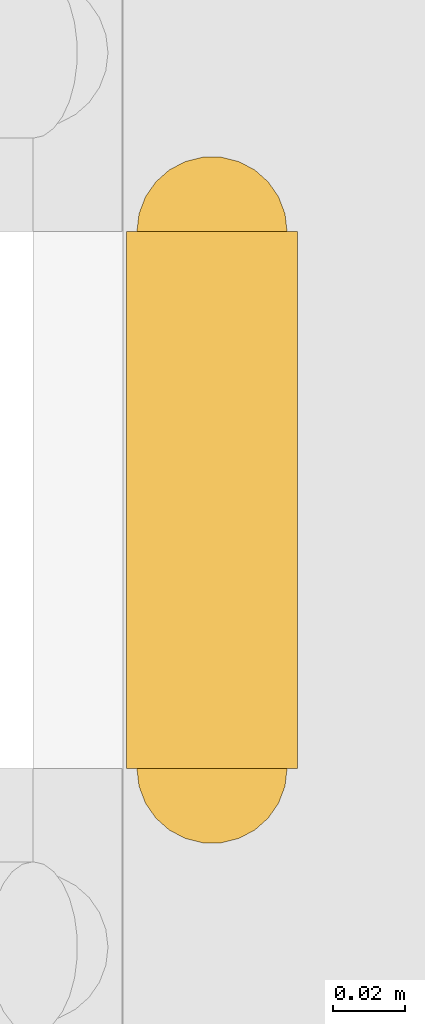
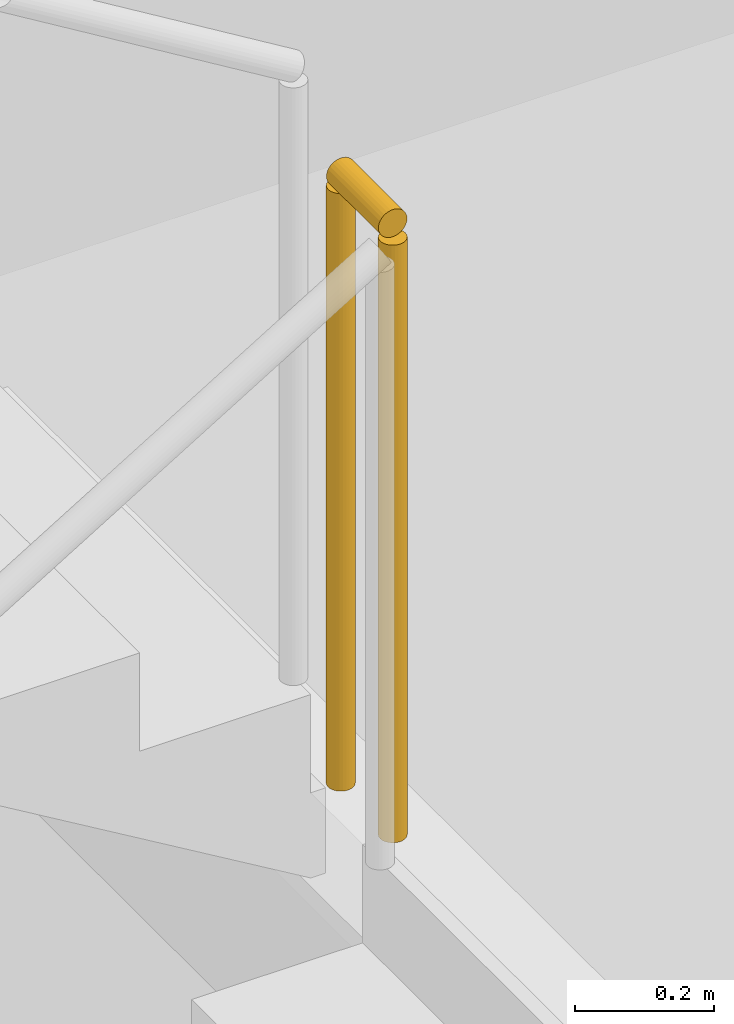
# One storey, part 141 of 154: 1 railing.
"""IFC4 building model written with IfcOpenShell, lengths in metres."""

from ifc_helpers import new_model, si_unit, direction, frame, origin, origin_2d, place, context, subcontext, project, spatial, circle, extrude, material, type_object, element, save


model = new_model("IFC4")

# Units and contexts
model_context = context("Model", 3, precision=1e-05, world=origin(), true_north=direction((0.0, 1.0)))
body_context = subcontext(model_context, "Body", "Model", "MODEL_VIEW")
ifc_project = project(units=[si_unit("LENGTHUNIT", "METRE"), si_unit("AREAUNIT", "SQUARE_METRE"), si_unit("VOLUMEUNIT", "CUBIC_METRE"), si_unit("PLANEANGLEUNIT", "RADIAN"), si_unit("MASSUNIT", "GRAM", prefix="KILO")], contexts=[model_context])

# Site, building, storey
site_placement = place(None, origin())
site = spatial("IfcSite", under=ifc_project, at=site_placement, CompositionType="ELEMENT")
building_placement = place(site_placement, origin())
building = spatial("IfcBuilding", under=site, at=building_placement, Name="Kestramere Prow Commons", CompositionType="ELEMENT")
storey_placement = place(building_placement, origin())
storey = spatial("IfcBuildingStorey", under=building, at=storey_placement, Name="L00", CompositionType="ELEMENT", Elevation=0.0)

# Railing
ifc_material = material(Name="Galvanised Steel S275JR", Category="steel")
railing_type = type_object("IfcRailingType", Name="RL-ST-GR-1100", PredefinedType="GUARDRAIL", material=ifc_material)
railing_placement = place(storey_placement, frame((65.719970703125, 14.0, 2.25)))
element("IfcRailing", 1, at=railing_placement, inside=storey, type_object=railing_type, Name="L00 ST-M1 stair guard 2", PredefinedType="GUARDRAIL", context=body_context, shape_type="SweptSolid", body=[
    extrude(circle(Radius=0.02392578125, at=origin_2d()), frame((0.0, 0.0, 1.076171875), z_axis=(0.0, 1.0, 0.0), x_axis=(-1.0, 0.0, 0.0)), (0.0, 0.0, 1.0), 0.14990234375),
    extrude(circle(Radius=0.02099609375, at=origin_2d()), origin(), (0.0, 0.0, 1.0), 1.052001953125),
    extrude(circle(Radius=0.02099609375, at=origin_2d()), frame((0.0, 0.14990234375, 0.0)), (0.0, 0.0, 1.0), 1.052001953125),
])

save(model, "model.ifc")
